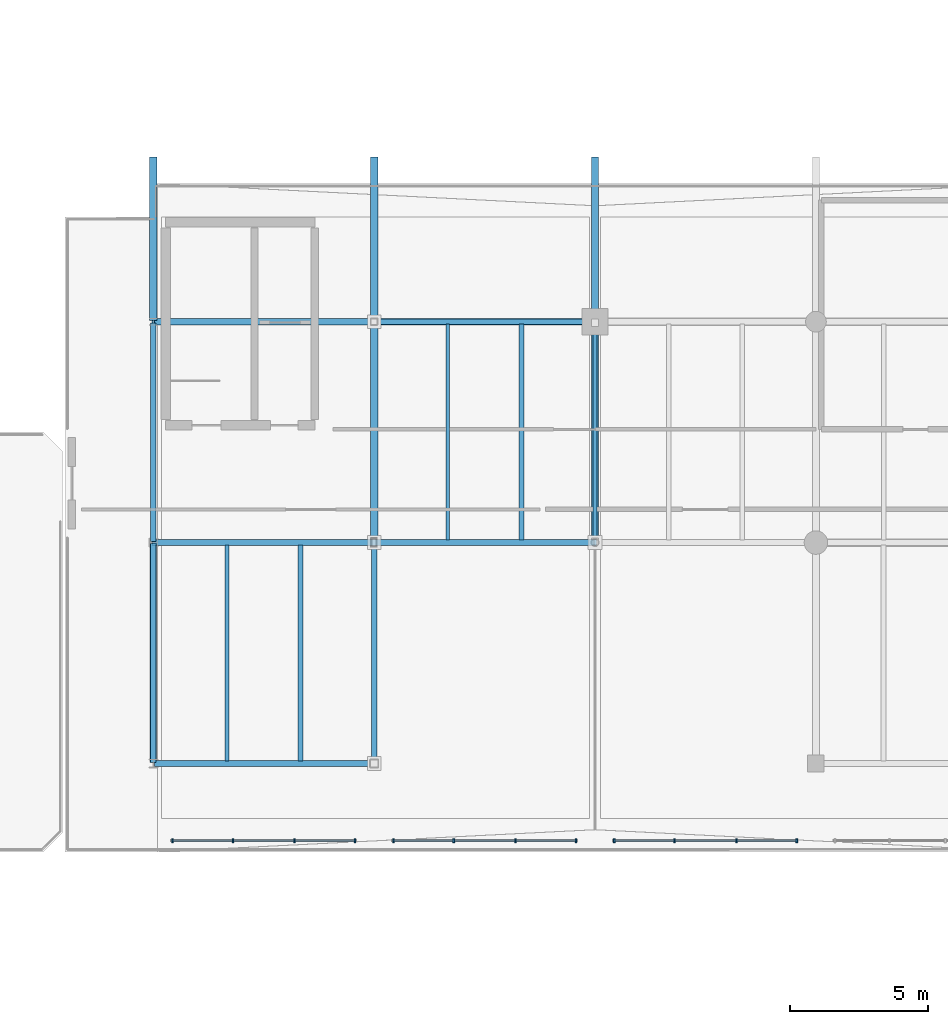
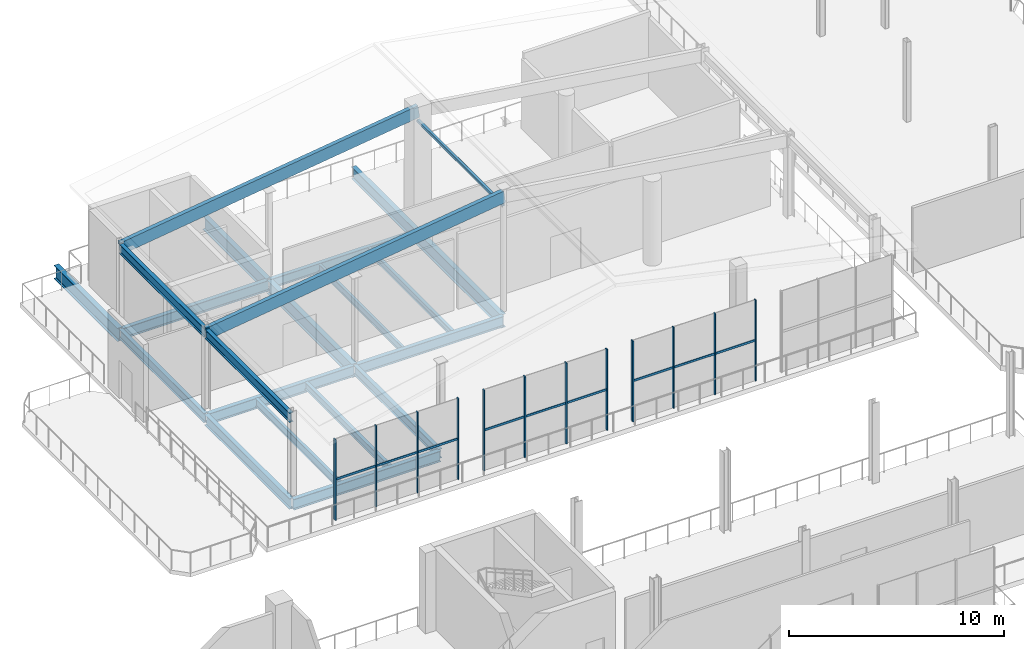
# One storey, part 25 of 70: 24 members, 19 beams, 3 elements without a shape of their own.
"""IFC4 building model written with IfcOpenShell, lengths in metres."""

from ifc_helpers import new_model, si_unit, direction, frame, origin, origin_2d, place, context, subcontext, project, spatial, rectangle, hollow_rectangle, i_section, extrude, material, material_profile, profile_set, type_object, element, aggregate, save


model = new_model("IFC4")

# Units and contexts
model_context = context("Model", 3, precision=1e-05, world=origin(), true_north=direction((0.0, 1.0)))
body_context = subcontext(model_context, "Body", "Model", "MODEL_VIEW")
ifc_project = project(units=[si_unit("LENGTHUNIT", "METRE"), si_unit("AREAUNIT", "SQUARE_METRE"), si_unit("VOLUMEUNIT", "CUBIC_METRE"), si_unit("PLANEANGLEUNIT", "RADIAN"), si_unit("MASSUNIT", "GRAM", prefix="KILO")], contexts=[model_context])

# Site, building, storey
site_placement = place(None, origin())
site = spatial("IfcSite", under=ifc_project, at=site_placement, CompositionType="ELEMENT")
building_placement = place(site_placement, origin())
building = spatial("IfcBuilding", under=site, at=building_placement, Name="Brisemont Oceanarium", CompositionType="ELEMENT")
storey_placement = place(building_placement, frame((0.0, 0.0, 10.199951171875)))
storey = spatial("IfcBuildingStorey", under=building, at=storey_placement, Name="L02", CompositionType="ELEMENT", Elevation=10.199951171875)

# Beams
ifc_material_1 = material(Name="Structural Steel ASTM A992 Gr.50", Category="steel")
ifc_material_profile_1 = material_profile(ifc_material_1, i_section(OverallWidth=0.1708984375, OverallDepth=0.35107421875, WebThickness=0.0068359375, FlangeThickness=0.009765625, FilletRadius=0.010009765625, at=origin_2d()), Name="W14X30")
ifc_profile_set_1 = profile_set([ifc_material_profile_1], Name="Structural Steel ASTM A992 Gr.50")
beam_type_1 = type_object("IfcBeamType", Name="BM-W14X30", PredefinedType="JOIST", material=ifc_profile_set_1)
beam_1_placement = place(storey_placement, frame((37.333251953125, 52.090087890625, -0.435546875), z_axis=(0.0, 1.0, 0.0), x_axis=(-1.0, 0.0, 0.0)))
element("IfcBeam", 1, at=beam_1_placement, inside=storey, type_object=beam_type_1, Name="V5W L02 secondary floor beam", PredefinedType="JOIST", context=body_context, shape_type="SweptSolid", body=[
    extrude(i_section(OverallWidth=0.1708984375, OverallDepth=0.35107421875, WebThickness=0.0068359375, FlangeThickness=0.009765625, FilletRadius=0.010009765625, at=origin_2d()), origin(), (0.0, 0.0, 1.0), 7.81982421875),
])
ifc_material_2 = material(Name="Structural Steel ASTM A992 Gr.50", Category="steel")
ifc_material_profile_2 = material_profile(ifc_material_2, i_section(OverallWidth=0.139892578125, OverallDepth=0.39892578125, WebThickness=0.00634765625, FlangeThickness=0.0087890625, FilletRadius=0.010009765625, at=origin_2d()), Name="W16X26")
ifc_profile_set_2 = profile_set([ifc_material_profile_2], Name="Structural Steel ASTM A992 Gr.50")
beam_type_2 = type_object("IfcBeamType", Name="BM-W16X26", PredefinedType="JOIST", material=ifc_profile_set_2)
beam_2_placement = place(storey_placement, frame((34.666748046875, 52.090087890625, -0.45947265625), z_axis=(0.0, 1.0, 0.0), x_axis=(-1.0, 0.0, 0.0)))
element("IfcBeam", 2, at=beam_2_placement, inside=storey, type_object=beam_type_2, Name="V5W L02 secondary floor beam", PredefinedType="JOIST", context=body_context, shape_type="SweptSolid", body=[
    extrude(i_section(OverallWidth=0.139892578125, OverallDepth=0.39892578125, WebThickness=0.00634765625, FlangeThickness=0.0087890625, FilletRadius=0.010009765625, at=origin_2d()), origin(), (0.0, 0.0, 1.0), 7.81982421875),
])
ifc_material_3 = material(Name="Structural Steel ASTM A992 Gr.50", Category="steel")
ifc_material_profile_3 = material_profile(ifc_material_3, i_section(OverallWidth=0.177978515625, OverallDepth=0.404052734375, WebThickness=0.007568359375, FlangeThickness=0.010986328125, FilletRadius=0.010009765625, at=origin_2d()), Name="W16X36")
ifc_profile_set_3 = profile_set([ifc_material_profile_3], Name="Structural Steel ASTM A992 Gr.50")
beam_type_3 = type_object("IfcBeamType", Name="BM-W16X36", PredefinedType="JOIST", material=ifc_profile_set_3)
beam_3_placement = place(storey_placement, frame((29.333251953125, 44.090087890625, -0.4619140625), z_axis=(0.0, 1.0, 0.0), x_axis=(-1.0, 0.0, 0.0)))
element("IfcBeam", 3, at=beam_3_placement, inside=storey, type_object=beam_type_3, Name="V5W L02 secondary floor beam", PredefinedType="JOIST", context=body_context, shape_type="SweptSolid", body=[
    extrude(i_section(OverallWidth=0.177978515625, OverallDepth=0.404052734375, WebThickness=0.007568359375, FlangeThickness=0.010986328125, FilletRadius=0.010009765625, at=origin_2d()), origin(), (0.0, 0.0, 1.0), 7.81982421875),
])
ifc_material_4 = material(Name="Structural Steel ASTM A992 Gr.50", Category="steel")
ifc_material_profile_4 = material_profile(ifc_material_4, i_section(OverallWidth=0.153076171875, OverallDepth=0.455078125, WebThickness=0.008056640625, FlangeThickness=0.01318359375, FilletRadius=0.010986328125, at=origin_2d()), Name="W18X40")
ifc_profile_set_4 = profile_set([ifc_material_profile_4], Name="Structural Steel ASTM A992 Gr.50")
beam_type_4 = type_object("IfcBeamType", Name="BM-W18X40", PredefinedType="JOIST", material=ifc_profile_set_4)
beam_4_placement = place(storey_placement, frame((26.666748046875, 44.090087890625, -0.487548828125), z_axis=(0.0, 1.0, 0.0), x_axis=(-1.0, 0.0, 0.0)))
element("IfcBeam", 4, at=beam_4_placement, inside=storey, type_object=beam_type_4, Name="V5W L02 secondary floor beam", PredefinedType="JOIST", context=body_context, shape_type="SweptSolid", body=[
    extrude(i_section(OverallWidth=0.153076171875, OverallDepth=0.455078125, WebThickness=0.008056640625, FlangeThickness=0.01318359375, FilletRadius=0.010986328125, at=origin_2d()), origin(), (0.0, 0.0, 1.0), 7.81982421875),
])
ifc_material_5 = material(Name="Structural Steel ASTM A992 Gr.50", Category="steel")
ifc_material_profile_5 = material_profile(ifc_material_5, i_section(OverallWidth=0.2099609375, OverallDepth=0.532958984375, WebThickness=0.01025390625, FlangeThickness=0.015625, FilletRadius=0.012939453125, at=origin_2d()), Name="W21X62")
ifc_profile_set_5 = profile_set([ifc_material_profile_5], Name="Structural Steel ASTM A992 Gr.50")
beam_type_5 = type_object("IfcBeamType", Name="BM-W21X62", PredefinedType="BEAM", material=ifc_profile_set_5)
for number, where, z_axis, x_axis, name in (
    (5, (32.0400390625, 60.0, -0.5263671875), (1.0, 0.0, 0.0), (0.0, 1.0, 0.0), "V5W L02 EW girder"),
    (6, (24.0, 52.0400390625, -0.5263671875), (0.0, 1.0, 0.0), (-1.0, 0.0, 0.0), "V5W L02 NS girder"),
    (7, (32.0, 44.0400390625, -0.5263671875), (0.0, 1.0, 0.0), (-1.0, 0.0, 0.0), "V5W L02 NS girder"),
    (8, (24.0, 44.0400390625, 4.33349609375), (0.0, 1.0, 0.0), (-1.0, 0.0, 0.0), "V5W NS roof eave girder"),
    (9, (24.0, 52.0400390625, 4.33349609375), (0.0, 1.0, 0.0), (-1.0, 0.0, 0.0), "V5W NS roof eave girder"),
):
    element("IfcBeam", number, at=place(storey_placement, frame(where, z_axis=z_axis, x_axis=x_axis)), inside=storey, type_object=beam_type_5, Name=name, PredefinedType="BEAM", context=body_context, shape_type="SweptSolid", body=[
        extrude(i_section(OverallWidth=0.2099609375, OverallDepth=0.532958984375, WebThickness=0.01025390625, FlangeThickness=0.015625, FilletRadius=0.012939453125, at=origin_2d()), origin(), (0.0, 0.0, 1.0), 7.919921875),
    ])
ifc_material_6 = material(Name="Structural Steel ASTM A992 Gr.50", Category="steel")
ifc_material_profile_6 = material_profile(ifc_material_6, i_section(OverallWidth=0.22802734375, OverallDepth=0.60205078125, WebThickness=0.010498046875, FlangeThickness=0.014892578125, FilletRadius=0.012939453125, at=origin_2d()), Name="W24X68")
ifc_profile_set_6 = profile_set([ifc_material_profile_6], Name="Structural Steel ASTM A992 Gr.50")
beam_type_6 = type_object("IfcBeamType", Name="BM-W24X68", PredefinedType="BEAM", material=ifc_profile_set_6)
for number, where, z_axis, x_axis, name in (
    (10, (32.0400390625, 52.0, -0.56103515625), (1.0, 0.0, 0.0), (0.0, 1.0, 0.0), "V5W L02 EW girder"),
    (11, (24.0400390625, 60.0, -0.56103515625), (1.0, 0.0, 0.0), (0.0, 1.0, 0.0), "V5W L02 EW girder"),
    (12, (24.0, 44.0400390625, -0.56103515625), (0.0, 1.0, 0.0), (-1.0, 0.0, 0.0), "V5W L02 NS girder"),
):
    element("IfcBeam", number, at=place(storey_placement, frame(where, z_axis=z_axis, x_axis=x_axis)), inside=storey, type_object=beam_type_6, Name=name, PredefinedType="BEAM", context=body_context, shape_type="SweptSolid", body=[
        extrude(i_section(OverallWidth=0.22802734375, OverallDepth=0.60205078125, WebThickness=0.010498046875, FlangeThickness=0.014892578125, FilletRadius=0.012939453125, at=origin_2d()), origin(), (0.0, 0.0, 1.0), 7.919921875),
    ])
ifc_material_7 = material(Name="Structural Steel ASTM A992 Gr.50", Category="steel")
ifc_material_profile_7 = material_profile(ifc_material_7, i_section(OverallWidth=0.22802734375, OverallDepth=0.60791015625, WebThickness=0.01123046875, FlangeThickness=0.017333984375, FilletRadius=0.012939453125, at=origin_2d()), Name="W24X76")
ifc_profile_set_7 = profile_set([ifc_material_profile_7], Name="Structural Steel ASTM A992 Gr.50")
beam_type_7 = type_object("IfcBeamType", Name="BM-W24X76", PredefinedType="BEAM", material=ifc_profile_set_7)
beam_5_placement = place(storey_placement, frame((24.0400390625, 52.0, -0.56396484375), z_axis=(1.0, 0.0, 0.0), x_axis=(0.0, 1.0, 0.0)))
element("IfcBeam", 13, at=beam_5_placement, inside=storey, type_object=beam_type_7, Name="V5W L02 EW girder", PredefinedType="BEAM", context=body_context, shape_type="SweptSolid", body=[
    extrude(i_section(OverallWidth=0.22802734375, OverallDepth=0.60791015625, WebThickness=0.01123046875, FlangeThickness=0.017333984375, FilletRadius=0.012939453125, at=origin_2d()), origin(), (0.0, 0.0, 1.0), 7.919921875),
])
ifc_material_8 = material(Name="Structural Steel ASTM A992 Gr.50", Category="steel")
ifc_material_profile_8 = material_profile(ifc_material_8, i_section(OverallWidth=0.22900390625, OverallDepth=0.612060546875, WebThickness=0.011962890625, FlangeThickness=0.01953125, FilletRadius=0.012939453125, at=origin_2d()), Name="W24X84")
ifc_profile_set_8 = profile_set([ifc_material_profile_8], Name="Structural Steel ASTM A992 Gr.50")
beam_type_8 = type_object("IfcBeamType", Name="BM-W24X84", PredefinedType="BEAM", material=ifc_profile_set_8)
beam_6_placement = place(storey_placement, frame((24.0400390625, 44.0, -0.56591796875), z_axis=(1.0, 0.0, 0.0), x_axis=(0.0, 1.0, 0.0)))
element("IfcBeam", 14, at=beam_6_placement, inside=storey, type_object=beam_type_8, Name="V5W L02 EW girder", PredefinedType="BEAM", context=body_context, shape_type="SweptSolid", body=[
    extrude(i_section(OverallWidth=0.22900390625, OverallDepth=0.612060546875, WebThickness=0.011962890625, FlangeThickness=0.01953125, FilletRadius=0.012939453125, at=origin_2d()), origin(), (0.0, 0.0, 1.0), 7.919921875),
])
ifc_material_9 = material(Name="Structural Steel ASTM A992 Gr.50", Category="steel")
ifc_material_profile_9 = material_profile(ifc_material_9, i_section(OverallWidth=0.25390625, OverallDepth=0.68310546875, WebThickness=0.012451171875, FlangeThickness=0.018798828125, FilletRadius=0.014892578125, at=origin_2d()), Name="W27X94")
ifc_profile_set_9 = profile_set([ifc_material_profile_9], Name="Structural Steel ASTM A992 Gr.50")
beam_type_9 = type_object("IfcBeamType", Name="BM-W27X94", PredefinedType="BEAM", material=ifc_profile_set_9)
beam_7_placement = place(storey_placement, frame((40.0, 60.0400390625, -0.6015625), z_axis=(0.0, 1.0, 0.0), x_axis=(-1.0, 0.0, 0.0)))
element("IfcBeam", 15, at=beam_7_placement, inside=storey, type_object=beam_type_9, Name="V5W L02 NS girder", PredefinedType="BEAM", context=body_context, shape_type="SweptSolid", body=[
    extrude(i_section(OverallWidth=0.25390625, OverallDepth=0.68310546875, WebThickness=0.012451171875, FlangeThickness=0.018798828125, FilletRadius=0.014892578125, at=origin_2d()), origin(), (0.0, 0.0, 1.0), 5.919921875),
])
ifc_material_10 = material(Name="Structural Steel ASTM A992 Gr.50", Category="steel")
ifc_material_profile_10 = material_profile(ifc_material_10, i_section(OverallWidth=0.26708984375, OverallDepth=0.761962890625, WebThickness=0.014404296875, FlangeThickness=0.021484375, FilletRadius=0.01611328125, at=origin_2d()), Name="W30X116")
ifc_profile_set_10 = profile_set([ifc_material_profile_10], Name="Structural Steel ASTM A992 Gr.50")
beam_type_10 = type_object("IfcBeamType", Name="BM-W30X116", PredefinedType="BEAM", material=ifc_profile_set_10)
beam_8_placement = place(storey_placement, frame((24.0, 60.0400390625, -0.640869140625), z_axis=(0.0, 1.0, 0.0), x_axis=(-1.0, 0.0, 0.0)))
element("IfcBeam", 16, at=beam_8_placement, inside=storey, type_object=beam_type_10, Name="V5W L02 NS girder", PredefinedType="BEAM", context=body_context, shape_type="SweptSolid", body=[
    extrude(i_section(OverallWidth=0.26708984375, OverallDepth=0.761962890625, WebThickness=0.014404296875, FlangeThickness=0.021484375, FilletRadius=0.01611328125, at=origin_2d()), origin(), (0.0, 0.0, 1.0), 5.919921875),
])
beam_9_placement = place(storey_placement, frame((32.0, 52.0400390625, -0.640869140625), z_axis=(0.0, 1.0, 0.0), x_axis=(-1.0, 0.0, 0.0)))
element("IfcBeam", 17, at=beam_9_placement, inside=storey, type_object=beam_type_10, Name="V5W L02 NS girder", PredefinedType="BEAM", context=body_context, shape_type="SweptSolid", body=[
    extrude(i_section(OverallWidth=0.26708984375, OverallDepth=0.761962890625, WebThickness=0.014404296875, FlangeThickness=0.021484375, FilletRadius=0.01611328125, at=origin_2d()), origin(), (0.0, 0.0, 1.0), 7.919921875),
])
ifc_material_11 = material(Name="Structural Steel ASTM A992 Gr.50", Category="steel")
ifc_material_profile_11 = material_profile(ifc_material_11, i_section(OverallWidth=0.264892578125, OverallDepth=0.7529296875, WebThickness=0.01318359375, FlangeThickness=0.01708984375, FilletRadius=0.01611328125, at=origin_2d()), Name="W30X99")
ifc_profile_set_11 = profile_set([ifc_material_profile_11], Name="Structural Steel ASTM A992 Gr.50")
beam_type_11 = type_object("IfcBeamType", Name="BM-W30X99", PredefinedType="BEAM", material=ifc_profile_set_11)
beam_10_placement = place(storey_placement, frame((32.0, 60.0400390625, -0.636474609375), z_axis=(0.0, 1.0, 0.0), x_axis=(-1.0, 0.0, 0.0)))
element("IfcBeam", 18, at=beam_10_placement, inside=storey, type_object=beam_type_11, Name="V5W L02 NS girder", PredefinedType="BEAM", context=body_context, shape_type="SweptSolid", body=[
    extrude(i_section(OverallWidth=0.264892578125, OverallDepth=0.7529296875, WebThickness=0.01318359375, FlangeThickness=0.01708984375, FilletRadius=0.01611328125, at=origin_2d()), origin(), (0.0, 0.0, 1.0), 5.919921875),
])
beam_11_placement = place(storey_placement, frame((40.0, 52.0400390625, -0.636474609375), z_axis=(0.0, 1.0, 0.0), x_axis=(-1.0, 0.0, 0.0)))
element("IfcBeam", 19, at=beam_11_placement, inside=storey, type_object=beam_type_11, Name="V5W L02 NS girder", PredefinedType="BEAM", context=body_context, shape_type="SweptSolid", body=[
    extrude(i_section(OverallWidth=0.264892578125, OverallDepth=0.7529296875, WebThickness=0.01318359375, FlangeThickness=0.01708984375, FilletRadius=0.01611328125, at=origin_2d()), origin(), (0.0, 0.0, 1.0), 7.919921875),
])

# Curtain wall, members
ifc_material_12 = material(Name="Anodized Extruded Aluminum 6063-T6", Category="aluminium")
curtain_wall_type = type_object("IfcCurtainWallType", Name="CW-GAL-54X42", PredefinedType="NOTDEFINED", material=ifc_material_12)
curtain_wall_1_placement = place(storey_placement, origin())
curtain_wall_1 = element("IfcCurtainWall", 20, at=curtain_wall_1_placement, inside=storey, type_object=curtain_wall_type, Name="CW-14 curtain wall CW-V5W-S-L02-01", PredefinedType="NOTDEFINED")
ifc_material_13 = material(Name="Anodized Extruded Aluminum 6063-T6", Category="aluminium")
ifc_material_profile_12 = material_profile(ifc_material_13, rectangle(XDim=0.06005859375, YDim=0.14990234375, at=origin_2d()), Name="CWM-60X150")
ifc_profile_set_12 = profile_set([ifc_material_profile_12], Name="Anodized Extruded Aluminum 6063-T6")
member_type_1 = type_object("IfcMemberType", Name="MEM-CWM-60", PredefinedType="MULLION", material=ifc_profile_set_12)
member_1_placement = place(storey_placement, frame((24.695068359375, 41.199951171875, 0.0), z_axis=(0.0, 0.0, 1.0), x_axis=(1.0, 0.0, 0.0)))
member_1 = element("IfcMember", 21, at=member_1_placement, type_object=member_type_1, Name="CW-V5W-S-L02-01 mullion 1", PredefinedType="MULLION", context=body_context, shape_type="SweptSolid", body=[
    extrude(rectangle(XDim=0.06005859375, YDim=0.14990234375, at=origin_2d()), origin(), (0.0, 0.0, 1.0), 4.60009765625),
])
member_2_placement = place(storey_placement, frame((26.88330078125, 41.199951171875, 0.0), z_axis=(0.0, 0.0, 1.0), x_axis=(1.0, 0.0, 0.0)))
member_2 = element("IfcMember", 22, at=member_2_placement, type_object=member_type_1, Name="CW-V5W-S-L02-01 mullion 2", PredefinedType="MULLION", context=body_context, shape_type="SweptSolid", body=[
    extrude(rectangle(XDim=0.06005859375, YDim=0.14990234375, at=origin_2d()), origin(), (0.0, 0.0, 1.0), 4.60009765625),
])
member_3_placement = place(storey_placement, frame((29.11669921875, 41.199951171875, 0.0), z_axis=(0.0, 0.0, 1.0), x_axis=(1.0, 0.0, 0.0)))
member_3 = element("IfcMember", 23, at=member_3_placement, type_object=member_type_1, Name="CW-V5W-S-L02-01 mullion 3", PredefinedType="MULLION", context=body_context, shape_type="SweptSolid", body=[
    extrude(rectangle(XDim=0.06005859375, YDim=0.14990234375, at=origin_2d()), origin(), (0.0, 0.0, 1.0), 4.60009765625),
])
member_4_placement = place(storey_placement, frame((31.304931640625, 41.199951171875, 0.0), z_axis=(0.0, 0.0, 1.0), x_axis=(1.0, 0.0, 0.0)))
member_4 = element("IfcMember", 24, at=member_4_placement, type_object=member_type_1, Name="CW-V5W-S-L02-01 mullion 4", PredefinedType="MULLION", context=body_context, shape_type="SweptSolid", body=[
    extrude(rectangle(XDim=0.06005859375, YDim=0.14990234375, at=origin_2d()), origin(), (0.0, 0.0, 1.0), 4.60009765625),
])

curtain_wall_2_placement = place(storey_placement, origin())
curtain_wall_2 = element("IfcCurtainWall", 25, at=curtain_wall_2_placement, inside=storey, type_object=curtain_wall_type, Name="CW-14 curtain wall CW-V5W-S-L02-02", PredefinedType="NOTDEFINED")
member_5_placement = place(storey_placement, frame((32.695068359375, 41.199951171875, 0.0), z_axis=(0.0, 0.0, 1.0), x_axis=(1.0, 0.0, 0.0)))
member_5 = element("IfcMember", 26, at=member_5_placement, type_object=member_type_1, Name="CW-V5W-S-L02-02 mullion 1", PredefinedType="MULLION", context=body_context, shape_type="SweptSolid", body=[
    extrude(rectangle(XDim=0.06005859375, YDim=0.14990234375, at=origin_2d()), origin(), (0.0, 0.0, 1.0), 4.60009765625),
])
member_6_placement = place(storey_placement, frame((34.88330078125, 41.199951171875, 0.0), z_axis=(0.0, 0.0, 1.0), x_axis=(1.0, 0.0, 0.0)))
member_6 = element("IfcMember", 27, at=member_6_placement, type_object=member_type_1, Name="CW-V5W-S-L02-02 mullion 2", PredefinedType="MULLION", context=body_context, shape_type="SweptSolid", body=[
    extrude(rectangle(XDim=0.06005859375, YDim=0.14990234375, at=origin_2d()), origin(), (0.0, 0.0, 1.0), 4.60009765625),
])
member_7_placement = place(storey_placement, frame((37.11669921875, 41.199951171875, 0.0), z_axis=(0.0, 0.0, 1.0), x_axis=(1.0, 0.0, 0.0)))
member_7 = element("IfcMember", 28, at=member_7_placement, type_object=member_type_1, Name="CW-V5W-S-L02-02 mullion 3", PredefinedType="MULLION", context=body_context, shape_type="SweptSolid", body=[
    extrude(rectangle(XDim=0.06005859375, YDim=0.14990234375, at=origin_2d()), origin(), (0.0, 0.0, 1.0), 4.60009765625),
])
member_8_placement = place(storey_placement, frame((39.304931640625, 41.199951171875, 0.0), z_axis=(0.0, 0.0, 1.0), x_axis=(1.0, 0.0, 0.0)))
member_8 = element("IfcMember", 29, at=member_8_placement, type_object=member_type_1, Name="CW-V5W-S-L02-02 mullion 4", PredefinedType="MULLION", context=body_context, shape_type="SweptSolid", body=[
    extrude(rectangle(XDim=0.06005859375, YDim=0.14990234375, at=origin_2d()), origin(), (0.0, 0.0, 1.0), 4.60009765625),
])

curtain_wall_3_placement = place(storey_placement, origin())
curtain_wall_3 = element("IfcCurtainWall", 30, at=curtain_wall_3_placement, inside=storey, type_object=curtain_wall_type, Name="CW-14 curtain wall CW-V5W-S-L02-03", PredefinedType="NOTDEFINED")
member_9_placement = place(storey_placement, frame((40.695068359375, 41.199951171875, 0.0), z_axis=(0.0, 0.0, 1.0), x_axis=(1.0, 0.0, 0.0)))
member_9 = element("IfcMember", 31, at=member_9_placement, type_object=member_type_1, Name="CW-V5W-S-L02-03 mullion 1", PredefinedType="MULLION", context=body_context, shape_type="SweptSolid", body=[
    extrude(rectangle(XDim=0.06005859375, YDim=0.14990234375, at=origin_2d()), origin(), (0.0, 0.0, 1.0), 4.60009765625),
])
member_10_placement = place(storey_placement, frame((42.88330078125, 41.199951171875, 0.0), z_axis=(0.0, 0.0, 1.0), x_axis=(1.0, 0.0, 0.0)))
member_10 = element("IfcMember", 32, at=member_10_placement, type_object=member_type_1, Name="CW-V5W-S-L02-03 mullion 2", PredefinedType="MULLION", context=body_context, shape_type="SweptSolid", body=[
    extrude(rectangle(XDim=0.06005859375, YDim=0.14990234375, at=origin_2d()), origin(), (0.0, 0.0, 1.0), 4.60009765625),
])
member_11_placement = place(storey_placement, frame((45.11669921875, 41.199951171875, 0.0), z_axis=(0.0, 0.0, 1.0), x_axis=(1.0, 0.0, 0.0)))
member_11 = element("IfcMember", 33, at=member_11_placement, type_object=member_type_1, Name="CW-V5W-S-L02-03 mullion 3", PredefinedType="MULLION", context=body_context, shape_type="SweptSolid", body=[
    extrude(rectangle(XDim=0.06005859375, YDim=0.14990234375, at=origin_2d()), origin(), (0.0, 0.0, 1.0), 4.60009765625),
])
member_12_placement = place(storey_placement, frame((47.304931640625, 41.199951171875, 0.0), z_axis=(0.0, 0.0, 1.0), x_axis=(1.0, 0.0, 0.0)))
member_12 = element("IfcMember", 34, at=member_12_placement, type_object=member_type_1, Name="CW-V5W-S-L02-03 mullion 4", PredefinedType="MULLION", context=body_context, shape_type="SweptSolid", body=[
    extrude(rectangle(XDim=0.06005859375, YDim=0.14990234375, at=origin_2d()), origin(), (0.0, 0.0, 1.0), 4.60009765625),
])

# Member
ifc_material_14 = material(Name="Anodized Extruded Aluminum 6063-T6", Category="aluminium")
ifc_material_profile_13 = material_profile(ifc_material_14, rectangle(XDim=0.06005859375, YDim=0.1201171875, at=origin_2d()), Name="CWT-60X120")
ifc_profile_set_13 = profile_set([ifc_material_profile_13], Name="Anodized Extruded Aluminum 6063-T6")
member_type_2 = type_object("IfcMemberType", Name="MEM-CWT-60", PredefinedType="USERDEFINED", material=ifc_profile_set_13)
member_13_placement = place(storey_placement, frame((24.6650390625, 41.199951171875, 2.300048828125), z_axis=(1.0, 0.0, 0.0), x_axis=(0.0, 1.0, 0.0)))
member_13 = element("IfcMember", 35, at=member_13_placement, type_object=member_type_2, Name="CW-V5W-S-L02-01 transom 1.1", ObjectType="TRANSOM", PredefinedType="USERDEFINED", context=body_context, shape_type="SweptSolid", body=[
    extrude(rectangle(XDim=0.06005859375, YDim=0.1201171875, at=origin_2d()), origin(), (0.0, 0.0, 1.0), 2.203369140625),
])

member_14_placement = place(storey_placement, frame((26.898193359375, 41.199951171875, 2.300048828125), z_axis=(1.0, 0.0, 0.0), x_axis=(0.0, 1.0, 0.0)))
member_14 = element("IfcMember", 36, at=member_14_placement, type_object=member_type_2, Name="CW-V5W-S-L02-01 transom 2.1", ObjectType="TRANSOM", PredefinedType="USERDEFINED", context=body_context, shape_type="SweptSolid", body=[
    extrude(rectangle(XDim=0.06005859375, YDim=0.1201171875, at=origin_2d()), origin(), (0.0, 0.0, 1.0), 2.20361328125),
])

member_15_placement = place(storey_placement, frame((29.131591796875, 41.199951171875, 2.300048828125), z_axis=(1.0, 0.0, 0.0), x_axis=(0.0, 1.0, 0.0)))
member_15 = element("IfcMember", 37, at=member_15_placement, type_object=member_type_2, Name="CW-V5W-S-L02-01 transom 3.1", ObjectType="TRANSOM", PredefinedType="USERDEFINED", context=body_context, shape_type="SweptSolid", body=[
    extrude(rectangle(XDim=0.06005859375, YDim=0.1201171875, at=origin_2d()), origin(), (0.0, 0.0, 1.0), 2.203369140625),
])

aggregate(curtain_wall_1, [member_1, member_2, member_3, member_4, member_13, member_14, member_15])

member_16_placement = place(storey_placement, frame((32.6650390625, 41.199951171875, 2.300048828125), z_axis=(1.0, 0.0, 0.0), x_axis=(0.0, 1.0, 0.0)))
member_16 = element("IfcMember", 38, at=member_16_placement, type_object=member_type_2, Name="CW-V5W-S-L02-02 transom 1.1", ObjectType="TRANSOM", PredefinedType="USERDEFINED", context=body_context, shape_type="SweptSolid", body=[
    extrude(rectangle(XDim=0.06005859375, YDim=0.1201171875, at=origin_2d()), origin(), (0.0, 0.0, 1.0), 2.203369140625),
])

member_17_placement = place(storey_placement, frame((34.898193359375, 41.199951171875, 2.300048828125), z_axis=(1.0, 0.0, 0.0), x_axis=(0.0, 1.0, 0.0)))
member_17 = element("IfcMember", 39, at=member_17_placement, type_object=member_type_2, Name="CW-V5W-S-L02-02 transom 2.1", ObjectType="TRANSOM", PredefinedType="USERDEFINED", context=body_context, shape_type="SweptSolid", body=[
    extrude(rectangle(XDim=0.06005859375, YDim=0.1201171875, at=origin_2d()), origin(), (0.0, 0.0, 1.0), 2.20361328125),
])

member_18_placement = place(storey_placement, frame((37.131591796875, 41.199951171875, 2.300048828125), z_axis=(1.0, 0.0, 0.0), x_axis=(0.0, 1.0, 0.0)))
member_18 = element("IfcMember", 40, at=member_18_placement, type_object=member_type_2, Name="CW-V5W-S-L02-02 transom 3.1", ObjectType="TRANSOM", PredefinedType="USERDEFINED", context=body_context, shape_type="SweptSolid", body=[
    extrude(rectangle(XDim=0.06005859375, YDim=0.1201171875, at=origin_2d()), origin(), (0.0, 0.0, 1.0), 2.203369140625),
])

aggregate(curtain_wall_2, [member_5, member_6, member_7, member_8, member_16, member_17, member_18])

member_19_placement = place(storey_placement, frame((40.6650390625, 41.199951171875, 2.300048828125), z_axis=(1.0, 0.0, 0.0), x_axis=(0.0, 1.0, 0.0)))
member_19 = element("IfcMember", 41, at=member_19_placement, type_object=member_type_2, Name="CW-V5W-S-L02-03 transom 1.1", ObjectType="TRANSOM", PredefinedType="USERDEFINED", context=body_context, shape_type="SweptSolid", body=[
    extrude(rectangle(XDim=0.06005859375, YDim=0.1201171875, at=origin_2d()), origin(), (0.0, 0.0, 1.0), 2.203369140625),
])

member_20_placement = place(storey_placement, frame((42.898193359375, 41.199951171875, 2.300048828125), z_axis=(1.0, 0.0, 0.0), x_axis=(0.0, 1.0, 0.0)))
member_20 = element("IfcMember", 42, at=member_20_placement, type_object=member_type_2, Name="CW-V5W-S-L02-03 transom 2.1", ObjectType="TRANSOM", PredefinedType="USERDEFINED", context=body_context, shape_type="SweptSolid", body=[
    extrude(rectangle(XDim=0.06005859375, YDim=0.1201171875, at=origin_2d()), origin(), (0.0, 0.0, 1.0), 2.20361328125),
])

member_21_placement = place(storey_placement, frame((45.131591796875, 41.199951171875, 2.300048828125), z_axis=(1.0, 0.0, 0.0), x_axis=(0.0, 1.0, 0.0)))
member_21 = element("IfcMember", 43, at=member_21_placement, type_object=member_type_2, Name="CW-V5W-S-L02-03 transom 3.1", ObjectType="TRANSOM", PredefinedType="USERDEFINED", context=body_context, shape_type="SweptSolid", body=[
    extrude(rectangle(XDim=0.06005859375, YDim=0.1201171875, at=origin_2d()), origin(), (0.0, 0.0, 1.0), 2.203369140625),
])

aggregate(curtain_wall_3, [member_9, member_10, member_11, member_12, member_19, member_20, member_21])

# Members
ifc_material_15 = material(Name="Structural Steel ASTM A500 Gr.C", Category="steel")
ifc_material_profile_14 = material_profile(ifc_material_15, hollow_rectangle(XDim=0.152099609375, YDim=0.152099609375, WallThickness=0.0087890625, InnerFilletRadius=0.009033203125, OuterFilletRadius=0.01806640625, at=origin_2d()), Name="HSS6X6X3/8")
ifc_profile_set_14 = profile_set([ifc_material_profile_14], Name="Structural Steel ASTM A500 Gr.C")
member_type_3 = type_object("IfcMemberType", Name="MEM-PU-HSS6X6", PredefinedType="PURLIN", material=ifc_profile_set_14)
member_22_placement = place(storey_placement, frame((40.0, 52.0400390625, 5.969970703125), z_axis=(0.0, 1.0, 0.0), x_axis=(-1.0, 0.0, 0.0)))
element("IfcMember", 44, at=member_22_placement, inside=storey, type_object=member_type_3, Name="V5W ridge purlin 1", PredefinedType="PURLIN", context=body_context, shape_type="SweptSolid", body=[
    extrude(hollow_rectangle(XDim=0.152099609375, YDim=0.152099609375, WallThickness=0.0087890625, InnerFilletRadius=0.009033203125, OuterFilletRadius=0.01806640625, at=origin_2d()), origin(), (0.0, 0.0, 1.0), 7.919921875),
])
ifc_material_16 = material(Name="Glulam Timber 24F-V4 DF", Category="wood")
ifc_material_profile_15 = material_profile(ifc_material_16, rectangle(XDim=0.221923828125, YDim=0.68603515625, at=origin_2d()), Name="GL-222X686")
ifc_profile_set_15 = profile_set([ifc_material_profile_15], Name="Glulam Timber 24F-V4 DF")
member_type_4 = type_object("IfcMemberType", Name="MEM-RF-GL222", PredefinedType="RAFTER", material=ifc_profile_set_15)
for number, where, z_axis, x_axis, name in (
    (45, (24.0, 52.0, 4.320068359375), (0.990679247833, 0.0, 0.136215373264), (0.0, 1.0, 0.0), "V5W pitched roof rafter 1A"),
    (46, (24.0, 60.0, 4.320068359375), (0.990679247833, 0.0, 0.136215373264), (0.0, 1.0, 0.0), "V5W pitched roof rafter 2A"),
):
    element("IfcMember", number, at=place(storey_placement, frame(where, z_axis=z_axis, x_axis=x_axis)), inside=storey, type_object=member_type_4, Name=name, PredefinedType="RAFTER", context=body_context, shape_type="SweptSolid", body=[
        extrude(rectangle(XDim=0.221923828125, YDim=0.68603515625, at=origin_2d()), origin(), (0.0, 0.0, 1.0), 16.150634765625),
    ])

save(model, "model.ifc")
